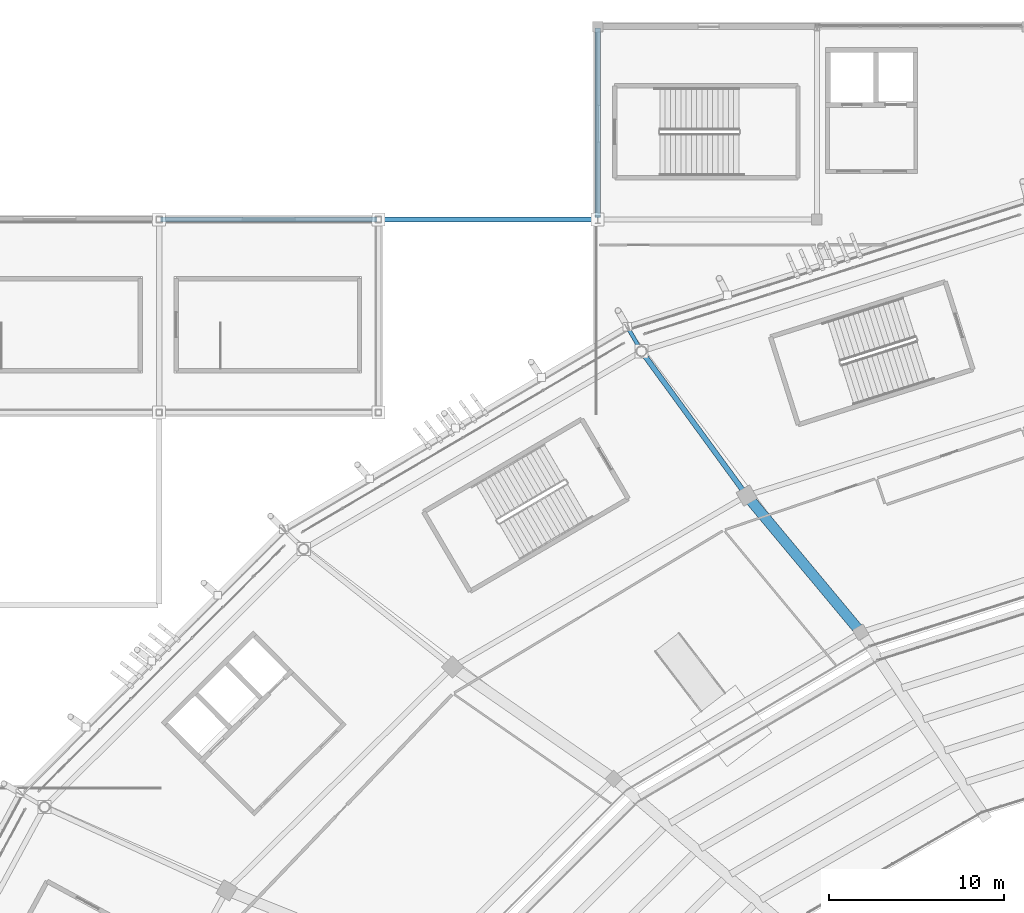
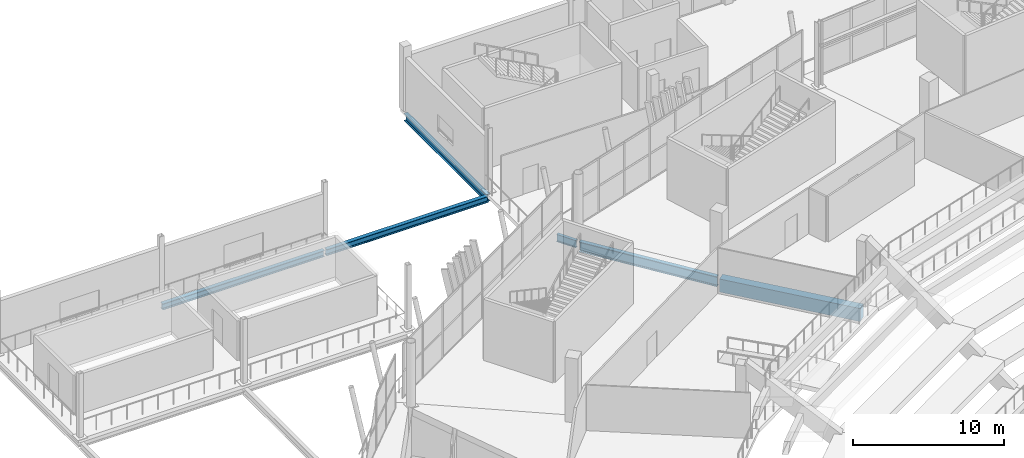
# One storey, part 71 of 178: 6 beams.
"""IFC4 building model written with IfcOpenShell, lengths in metres."""

from ifc_helpers import new_model, si_unit, direction, frame, origin, origin_2d, place, context, subcontext, project, spatial, rectangle, i_section, extrude, material, material_profile, profile_set, type_object, element, save


model = new_model("IFC4")

# Units and contexts
model_context = context("Model", 3, precision=1e-05, world=origin(), true_north=direction((0.0, 1.0)))
body_context = subcontext(model_context, "Body", "Model", "MODEL_VIEW")
ifc_project = project(units=[si_unit("LENGTHUNIT", "METRE"), si_unit("AREAUNIT", "SQUARE_METRE"), si_unit("VOLUMEUNIT", "CUBIC_METRE"), si_unit("PLANEANGLEUNIT", "RADIAN"), si_unit("MASSUNIT", "GRAM", prefix="KILO")], contexts=[model_context])

# Site, building, storey
site_placement = place(None, origin())
site = spatial("IfcSite", under=ifc_project, at=site_placement, CompositionType="ELEMENT")
building_placement = place(site_placement, origin())
building = spatial("IfcBuilding", under=site, at=building_placement, Name="Zlatoyarsky Gate Stadium", CompositionType="ELEMENT")
storey_placement = place(building_placement, frame((0.0, 0.0, 5.39990234375)))
storey = spatial("IfcBuildingStorey", under=building, at=storey_placement, Name="L01", CompositionType="ELEMENT", Elevation=5.39990234375)

# Beams
ifc_material_1 = material(Name="Concrete C40/50", Category="concrete")
ifc_material_profile_1 = material_profile(ifc_material_1, rectangle(XDim=0.60009765625, YDim=1.050048828125, at=origin_2d()), Name="RC GIRDER 600X1050")
ifc_profile_set_1 = profile_set([ifc_material_profile_1], Name="Concrete C40/50")
beam_type_1 = type_object("IfcBeamType", Name="CONCRETE PRIMARY GIRDER 600X1050", PredefinedType="T_BEAM", material=ifc_profile_set_1)
beam_1_placement = place(storey_placement, frame((76.923095703125, 125.55859375, -0.824951171875), z_axis=(-0.640460635814, 0.767990998627, 0.0), x_axis=(-0.767990998627, -0.640460635814, 0.0)))
element("IfcBeam", 1, at=beam_1_placement, inside=storey, type_object=beam_type_1, Name="Beam G-RC105 BM-L01-RAB-08", PredefinedType="T_BEAM", context=body_context, shape_type="SweptSolid", body=[
    extrude(rectangle(XDim=0.60009765625, YDim=1.050048828125, at=origin_2d()), origin(), (0.0, 0.0, 1.0), 9.90869140625),
])
ifc_material_2 = material(Name="Steel S355", Category="steel")
ifc_material_profile_2 = material_profile(ifc_material_2, i_section(OverallWidth=0.219970703125, OverallDepth=0.60009765625, WebThickness=0.011962890625, FlangeThickness=0.01904296875, FilletRadius=0.02392578125, at=origin_2d()), Name="IPE 600")
ifc_profile_set_2 = profile_set([ifc_material_profile_2], Name="Steel S355")
beam_type_2 = type_object("IfcBeamType", Name="STEEL CANTILEVER FLOOR BEAM IPE 600", PredefinedType="BEAM", material=ifc_profile_set_2)
beam_2_placement = place(storey_placement, frame((64.43994140625, 141.591796875, -0.599853515625), z_axis=(-0.499949632511, 0.866054481515, 0.0), x_axis=(-0.866054481515, -0.499949632511, 0.0)))
element("IfcBeam", 2, at=beam_2_placement, inside=storey, type_object=beam_type_2, Name="Beam B-IPE600 BM-L01-OUT-08", PredefinedType="BEAM", context=body_context, shape_type="SweptSolid", body=[
    extrude(i_section(OverallWidth=0.219970703125, OverallDepth=0.60009765625, WebThickness=0.011962890625, FlangeThickness=0.01904296875, FilletRadius=0.02392578125, at=origin_2d()), origin(), (0.0, 0.0, 1.0), 1.488525390625),
])
ifc_material_profile_3 = material_profile(ifc_material_2, i_section(OverallWidth=0.300048828125, OverallDepth=0.5, WebThickness=0.014404296875, FlangeThickness=0.028076171875, FilletRadius=0.027099609375, at=origin_2d()), Name="HEB 500")
ifc_profile_set_3 = profile_set([ifc_material_profile_3], Name="Steel S355")
beam_type_3 = type_object("IfcBeamType", Name="STEEL PRIMARY GIRDER HEB 500", PredefinedType="BEAM", material=ifc_profile_set_3)
for number, where, z_axis, x_axis, name in (
    (3, (37.080078125, 149.0, -0.5498046875), (1.0, 0.0, 0.0), (0.0, 1.0, 0.0), "Beam G-HEB500 BM-L01-WGX-4-P"),
    (4, (49.580078125, 149.0, -0.5498046875), (1.0, 0.0, 0.0), (0.0, 1.0, 0.0), "Beam G-HEB500 BM-L01-WGX-5-P"),
):
    element("IfcBeam", number, at=place(storey_placement, frame(where, z_axis=z_axis, x_axis=x_axis)), inside=storey, type_object=beam_type_3, Name=name, PredefinedType="BEAM", context=body_context, shape_type="SweptSolid", body=[
        extrude(i_section(OverallWidth=0.300048828125, OverallDepth=0.5, WebThickness=0.014404296875, FlangeThickness=0.028076171875, FilletRadius=0.027099609375, at=origin_2d()), origin(), (0.0, 0.0, 1.0), 12.33984375),
    ])
ifc_material_profile_4 = material_profile(ifc_material_2, i_section(OverallWidth=0.300048828125, OverallDepth=0.60009765625, WebThickness=0.015380859375, FlangeThickness=0.030029296875, FilletRadius=0.027099609375, at=origin_2d()), Name="HEB 600")
ifc_profile_set_4 = profile_set([ifc_material_profile_4], Name="Steel S355")
beam_type_4 = type_object("IfcBeamType", Name="STEEL PRIMARY GIRDER HEB 600", PredefinedType="BEAM", material=ifc_profile_set_4)
beam_3_placement = place(storey_placement, frame((62.0, 149.080078125, -0.599853515625), z_axis=(0.0, 1.0, 0.0), x_axis=(-1.0, 0.0, 0.0)))
element("IfcBeam", 5, at=beam_3_placement, inside=storey, type_object=beam_type_4, Name="Beam G-HEB600 BM-L01-WGY-6-P", PredefinedType="BEAM", context=body_context, shape_type="SweptSolid", body=[
    extrude(i_section(OverallWidth=0.300048828125, OverallDepth=0.60009765625, WebThickness=0.015380859375, FlangeThickness=0.030029296875, FilletRadius=0.027099609375, at=origin_2d()), origin(), (0.0, 0.0, 1.0), 10.83984375),
])
ifc_material_profile_5 = material_profile(ifc_material_2, i_section(OverallWidth=0.300048828125, OverallDepth=0.800048828125, WebThickness=0.017578125, FlangeThickness=0.032958984375, FilletRadius=0.030029296875, at=origin_2d()), Name="HEB 800")
ifc_profile_set_5 = profile_set([ifc_material_profile_5], Name="Steel S355")
beam_type_5 = type_object("IfcBeamType", Name="STEEL PRIMARY GIRDER HEB 800", PredefinedType="BEAM", material=ifc_profile_set_5)
beam_4_placement = place(storey_placement, frame((70.42919921875, 133.357666015625, -0.699951171875), z_axis=(-0.589228266457, 0.807966614415, 0.0), x_axis=(-0.807966614415, -0.589228266457, 0.0)))
element("IfcBeam", 6, at=beam_4_placement, inside=storey, type_object=beam_type_5, Name="Beam G-HEB800 BM-L01-RBC-08", PredefinedType="BEAM", context=body_context, shape_type="SweptSolid", body=[
    extrude(i_section(OverallWidth=0.300048828125, OverallDepth=0.800048828125, WebThickness=0.017578125, FlangeThickness=0.032958984375, FilletRadius=0.030029296875, at=origin_2d()), origin(), (0.0, 0.0, 1.0), 9.9423828125),
])

save(model, "model.ifc")
